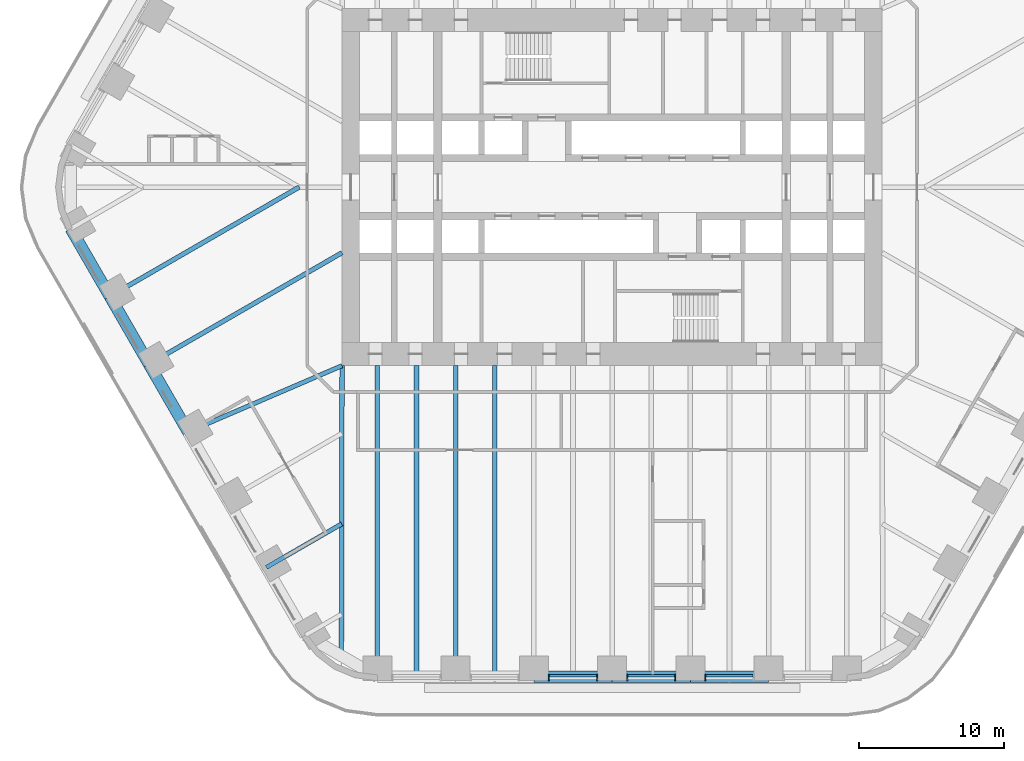
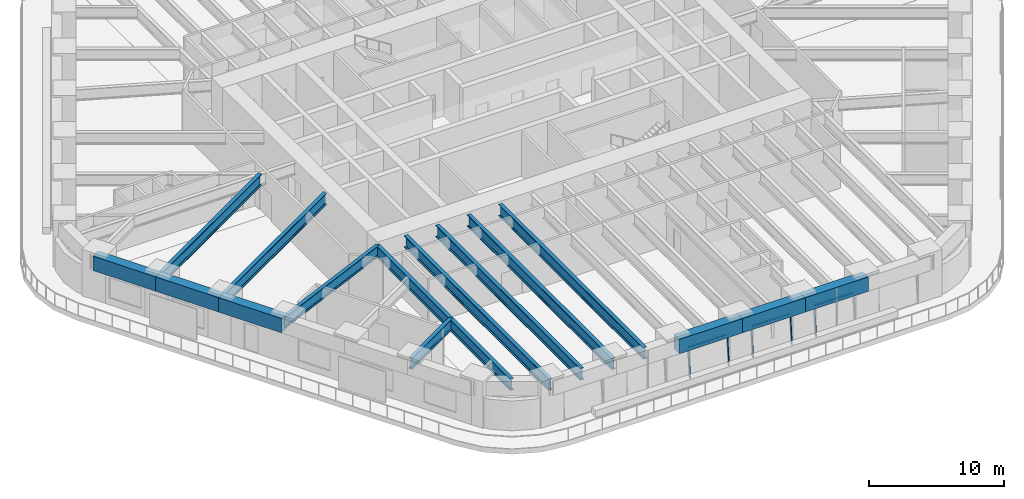
# One storey, part 3 of 23: 15 beams, 8 members, 3 elements without a shape of their own.
"""IFC4 building model written with IfcOpenShell, lengths in metres."""

from ifc_helpers import new_model, si_unit, direction, frame, origin, origin_2d, place, context, subcontext, project, spatial, rectangle, i_section, extrude, material, material_profile, profile_set, type_object, element, aggregate, save


model = new_model("IFC4")

# Units and contexts
model_context = context("Model", 3, precision=1e-05, world=origin(), true_north=direction((0.0, 1.0)))
body_context = subcontext(model_context, "Body", "Model", "MODEL_VIEW")
ifc_project = project(units=[si_unit("LENGTHUNIT", "METRE"), si_unit("AREAUNIT", "SQUARE_METRE"), si_unit("VOLUMEUNIT", "CUBIC_METRE"), si_unit("PLANEANGLEUNIT", "RADIAN"), si_unit("MASSUNIT", "GRAM", prefix="KILO")], contexts=[model_context])

# Site, building, storey
site_placement = place(None, origin())
site = spatial("IfcSite", under=ifc_project, at=site_placement, CompositionType="ELEMENT")
building_placement = place(site_placement, origin())
building = spatial("IfcBuilding", under=site, at=building_placement, Name="Tarfa Lantern Tower", CompositionType="ELEMENT")
storey_placement = place(building_placement, frame((0.0, 0.0, 82.300048828125)))
storey = spatial("IfcBuildingStorey", under=building, at=storey_placement, Name="L18", CompositionType="ELEMENT", Elevation=82.300048828125)

# Curtain wall, members
ifc_material_1 = material(Name="Aluminium framed curtain wall", Category="aluminium")
curtain_wall_type = type_object("IfcCurtainWallType", Name="CW1 CANTED GLAZING LOW ZONE 2700", PredefinedType="USERDEFINED", material=ifc_material_1)
curtain_wall_1_placement = place(storey_placement, origin())
curtain_wall_1 = element("IfcCurtainWall", 1, at=curtain_wall_1_placement, inside=storey, type_object=curtain_wall_type, Name="CW1 S L18", ObjectType="CURTAIN WALL", PredefinedType="USERDEFINED")
ifc_material_2 = material(Name="Aluminium mullion", Category="aluminium")
ifc_material_profile_1 = material_profile(ifc_material_2, rectangle(XDim=0.06494140625, YDim=0.199951171875, at=origin_2d()), Name="AL MULLION 65x200")
ifc_profile_set_1 = profile_set([ifc_material_profile_1], Name="Aluminium mullion")
member_type_1 = type_object("IfcMemberType", Name="CWM1 MULLION 65x200", PredefinedType="MULLION", material=ifc_profile_set_1)
member_1_placement = place(storey_placement, frame((-4.356201171875, -33.89990234375, 0.0), z_axis=(0.0, 0.092199863775, 0.995740520979), x_axis=(-1.0, 0.0, 0.0)))
member_1 = element("IfcMember", 2, at=member_1_placement, type_object=member_type_1, Name="CW1 mullion 1", PredefinedType="MULLION", context=body_context, shape_type="SweptSolid", body=[
    extrude(rectangle(XDim=0.06494140625, YDim=0.199951171875, at=origin_2d()), origin(), (0.0, 0.0, 1.0), 2.71142578125),
])
member_2_placement = place(storey_placement, frame((-1.032470703125, -33.89990234375, 0.0), z_axis=(0.0, 0.092199863775, 0.995740520979), x_axis=(-1.0, 0.0, 0.0)))
member_2 = element("IfcMember", 3, at=member_2_placement, type_object=member_type_1, Name="CW1 mullion 2", PredefinedType="MULLION", context=body_context, shape_type="SweptSolid", body=[
    extrude(rectangle(XDim=0.06494140625, YDim=0.199951171875, at=origin_2d()), origin(), (0.0, 0.0, 1.0), 2.71142578125),
])

curtain_wall_2_placement = place(storey_placement, origin())
curtain_wall_2 = element("IfcCurtainWall", 4, at=curtain_wall_2_placement, inside=storey, type_object=curtain_wall_type, Name="CW1 S L18", ObjectType="CURTAIN WALL", PredefinedType="USERDEFINED")
member_3_placement = place(storey_placement, frame((1.032470703125, -33.89990234375, 0.0), z_axis=(0.0, 0.092199863775, 0.995740520979), x_axis=(-1.0, 0.0, 0.0)))
member_3 = element("IfcMember", 5, at=member_3_placement, type_object=member_type_1, Name="CW1 mullion 1", PredefinedType="MULLION", context=body_context, shape_type="SweptSolid", body=[
    extrude(rectangle(XDim=0.06494140625, YDim=0.199951171875, at=origin_2d()), origin(), (0.0, 0.0, 1.0), 2.71142578125),
])
member_4_placement = place(storey_placement, frame((4.356201171875, -33.89990234375, 0.0), z_axis=(0.0, 0.092199863775, 0.995740520979), x_axis=(-1.0, 0.0, 0.0)))
member_4 = element("IfcMember", 6, at=member_4_placement, type_object=member_type_1, Name="CW1 mullion 2", PredefinedType="MULLION", context=body_context, shape_type="SweptSolid", body=[
    extrude(rectangle(XDim=0.06494140625, YDim=0.199951171875, at=origin_2d()), origin(), (0.0, 0.0, 1.0), 2.71142578125),
])

# Curtain wall, member
curtain_wall_3_placement = place(storey_placement, origin())
curtain_wall_3 = element("IfcCurtainWall", 7, at=curtain_wall_3_placement, inside=storey, type_object=curtain_wall_type, Name="CW1 S L18", ObjectType="CURTAIN WALL", PredefinedType="USERDEFINED")
member_5_placement = place(storey_placement, frame((6.421142578125, -33.89990234375, 0.0), z_axis=(0.0, 0.092199863775, 0.995740520979), x_axis=(-1.0, 0.0, 0.0)))
member_5 = element("IfcMember", 8, at=member_5_placement, type_object=member_type_1, Name="CW1 mullion 1", PredefinedType="MULLION", context=body_context, shape_type="SweptSolid", body=[
    extrude(rectangle(XDim=0.06494140625, YDim=0.199951171875, at=origin_2d()), origin(), (0.0, 0.0, 1.0), 2.71142578125),
])

# Member
ifc_material_3 = material(Name="Aluminium transom", Category="aluminium")
ifc_material_profile_2 = material_profile(ifc_material_3, rectangle(XDim=0.14990234375, YDim=0.06494140625, at=origin_2d()), Name="AL TRANSOM 150x65")
ifc_profile_set_2 = profile_set([ifc_material_profile_2], Name="Aluminium transom")
member_type_2 = type_object("IfcMemberType", Name="CWT1 TRANSOM 150x65", PredefinedType="USERDEFINED", material=ifc_profile_set_2)
member_6_placement = place(storey_placement, frame((-4.323486328125, -33.653076171875, 2.66748046875), z_axis=(1.0, 0.0, 0.0), x_axis=(0.0, 1.0, 0.0)))
member_6 = element("IfcMember", 9, at=member_6_placement, type_object=member_type_2, Name="CW1 transom 1.2", ObjectType="TRANSOM", PredefinedType="USERDEFINED", context=body_context, shape_type="SweptSolid", body=[
    extrude(rectangle(XDim=0.14990234375, YDim=0.06494140625, at=origin_2d()), origin(), (0.0, 0.0, 1.0), 3.258544921875),
])

aggregate(curtain_wall_1, [member_1, member_2, member_6])

member_7_placement = place(storey_placement, frame((1.06494140625, -33.653076171875, 2.66748046875), z_axis=(1.0, 0.0, 0.0), x_axis=(0.0, 1.0, 0.0)))
member_7 = element("IfcMember", 10, at=member_7_placement, type_object=member_type_2, Name="CW1 transom 1.2", ObjectType="TRANSOM", PredefinedType="USERDEFINED", context=body_context, shape_type="SweptSolid", body=[
    extrude(rectangle(XDim=0.14990234375, YDim=0.06494140625, at=origin_2d()), origin(), (0.0, 0.0, 1.0), 3.258544921875),
])

aggregate(curtain_wall_2, [member_3, member_4, member_7])

member_8_placement = place(storey_placement, frame((6.45361328125, -33.653076171875, 2.66748046875), z_axis=(1.0, 0.0, 0.0), x_axis=(0.0, 1.0, 0.0)))
member_8 = element("IfcMember", 11, at=member_8_placement, type_object=member_type_2, Name="CW1 transom 1.2", ObjectType="TRANSOM", PredefinedType="USERDEFINED", context=body_context, shape_type="SweptSolid", body=[
    extrude(rectangle(XDim=0.14990234375, YDim=0.06494140625, at=origin_2d()), origin(), (0.0, 0.0, 1.0), 3.258544921875),
])

aggregate(curtain_wall_3, [member_5, member_8])

# Beams
ifc_material_4 = material(Name="Concrete C80/95", Category="concrete")
ifc_material_profile_3 = material_profile(ifc_material_4, rectangle(XDim=0.800048828125, YDim=1.300048828125, at=origin_2d()), Name="RC 800x1300")
ifc_profile_set_3 = profile_set([ifc_material_profile_3], Name="Concrete C80/95")
beam_type_1 = type_object("IfcBeamType", Name="EB1 RC 800x1300", PredefinedType="SPANDREL", material=ifc_profile_set_3)
beam_1_placement = place(storey_placement, frame((-37.285400390625, -2.860107421875, 3.349853515625), z_axis=(0.500017906299, -0.866015065331, 0.0), x_axis=(0.866015065331, 0.500017906299, 0.0)))
element("IfcBeam", 12, at=beam_1_placement, inside=storey, type_object=beam_type_1, Name="Edge beam SW0", PredefinedType="SPANDREL", context=body_context, shape_type="SweptSolid", body=[
    extrude(rectangle(XDim=0.800048828125, YDim=1.300048828125, at=origin_2d()), origin(), (0.0, 0.0, 1.0), 5.388427734375),
])
for number, where, z_axis, x_axis, name in (
    (13, (-34.591064453125, -7.526611328125, 3.349853515625), (0.499998287579, -0.866026392449, 0.0), (0.866026392449, 0.499998287579, 0.0), "Edge beam SW1"),
    (14, (-31.896728515625, -12.193359375, 3.349853515625), (0.499998287579, -0.866026392449, 0.0), (0.866026392449, 0.499998287579, 0.0), "Edge beam SW2"),
    (15, (-5.388671875, -33.719970703125, 3.349853515625), (1.0, 0.0, 0.0), (0.0, 1.0, 0.0), "Edge beam S2"),
    (16, (0.0, -33.719970703125, 3.349853515625), (1.0, 0.0, 0.0), (0.0, 1.0, 0.0), "Edge beam S3"),
):
    element("IfcBeam", number, at=place(storey_placement, frame(where, z_axis=z_axis, x_axis=x_axis)), inside=storey, type_object=beam_type_1, Name=name, PredefinedType="SPANDREL", context=body_context, shape_type="SweptSolid", body=[
        extrude(rectangle(XDim=0.800048828125, YDim=1.300048828125, at=origin_2d()), origin(), (0.0, 0.0, 1.0), 5.388671875),
    ])
beam_2_placement = place(storey_placement, frame((5.388671875, -33.719970703125, 3.349853515625), z_axis=(1.0, 0.0, 0.0), x_axis=(0.0, 1.0, 0.0)))
element("IfcBeam", 17, at=beam_2_placement, inside=storey, type_object=beam_type_1, Name="Edge beam S4", PredefinedType="SPANDREL", context=body_context, shape_type="SweptSolid", body=[
    extrude(rectangle(XDim=0.800048828125, YDim=1.300048828125, at=origin_2d()), origin(), (0.0, 0.0, 1.0), 5.388427734375),
])
ifc_material_5 = material(Name="Steel S460M", Category="steel")
ifc_material_profile_4 = material_profile(ifc_material_5, i_section(OverallWidth=0.302001953125, OverallDepth=1.008056640625, WebThickness=0.02099609375, FlangeThickness=0.0400390625, FilletRadius=0.030029296875, at=origin_2d()), Name="UB1016x305x349")
ifc_profile_set_4 = profile_set([ifc_material_profile_4], Name="Steel S460M")
beam_type_2 = type_object("IfcBeamType", Name="UB1016x305x349", PredefinedType="BEAM", material=ifc_profile_set_4)
beam_3_placement = place(storey_placement, frame((-29.202392578125, -16.860107421875, 3.495849609375), z_axis=(0.918635483867, 0.395106122175, 0.0), x_axis=(-0.395106122175, 0.918635483867, 0.0)))
element("IfcBeam", 18, at=beam_3_placement, inside=storey, type_object=beam_type_2, Name="Floor beam SW3", PredefinedType="BEAM", context=body_context, shape_type="SweptSolid", body=[
    extrude(i_section(OverallWidth=0.302001953125, OverallDepth=1.008056640625, WebThickness=0.02099609375, FlangeThickness=0.0400390625, FilletRadius=0.030029296875, at=origin_2d()), origin(), (0.0, 0.0, 1.0), 11.541259765625),
])
beam_4_placement = place(storey_placement, frame((-23.813720703125, -26.193359375, 3.495849609375), z_axis=(0.866015997389, 0.500016292001, 0.0), x_axis=(-0.500016292001, 0.866015997389, 0.0)))
element("IfcBeam", 19, at=beam_4_placement, inside=storey, type_object=beam_type_2, Name="Floor beam SW5", PredefinedType="BEAM", context=body_context, shape_type="SweptSolid", body=[
    extrude(i_section(OverallWidth=0.302001953125, OverallDepth=1.008056640625, WebThickness=0.02099609375, FlangeThickness=0.0400390625, FilletRadius=0.030029296875, at=origin_2d()), origin(), (0.0, 0.0, 1.0), 5.993408203125),
])
ifc_material_profile_5 = material_profile(ifc_material_5, i_section(OverallWidth=0.314208984375, OverallDepth=1.055908203125, WebThickness=0.035888671875, FlangeThickness=0.06396484375, FilletRadius=0.030029296875, at=origin_2d()), Name="UB1016x305x584")
ifc_profile_set_5 = profile_set([ifc_material_profile_5], Name="Steel S460M")
beam_type_3 = type_object("IfcBeamType", Name="UB1016x305x584", PredefinedType="BEAM", material=ifc_profile_set_5)
beam_5_placement = place(storey_placement, frame((-18.60009765625, -12.300048828125, 3.471923828125), z_axis=(-0.00212508222, -0.99999774201, 0.0), x_axis=(0.99999774201, -0.00212508222, 0.0)))
element("IfcBeam", 20, at=beam_5_placement, inside=storey, type_object=beam_type_3, Name="Hip girder SW", PredefinedType="BEAM", context=body_context, shape_type="SweptSolid", body=[
    extrude(i_section(OverallWidth=0.314208984375, OverallDepth=1.055908203125, WebThickness=0.035888671875, FlangeThickness=0.06396484375, FilletRadius=0.030029296875, at=origin_2d()), origin(), (0.0, 0.0, 1.0), 19.989990234375),
])
beam_6_placement = place(storey_placement, frame((-34.591064453125, -7.526611328125, 3.471923828125), z_axis=(0.86602785945, 0.499995746638, 0.0), x_axis=(-0.499995746638, 0.86602785945, 0.0)))
element("IfcBeam", 21, at=beam_6_placement, inside=storey, type_object=beam_type_3, Name="Floor beam SW1", PredefinedType="BEAM", context=body_context, shape_type="SweptSolid", body=[
    extrude(i_section(OverallWidth=0.314208984375, OverallDepth=1.055908203125, WebThickness=0.035888671875, FlangeThickness=0.06396484375, FilletRadius=0.030029296875, at=origin_2d()), origin(), (0.0, 0.0, 1.0), 15.053466796875),
])
beam_7_placement = place(storey_placement, frame((-31.896728515625, -12.193359375, 3.471923828125), z_axis=(0.866026971665, 0.499997284341, 0.0), x_axis=(-0.499997284341, 0.866026971665, 0.0)))
element("IfcBeam", 22, at=beam_7_placement, inside=storey, type_object=beam_type_3, Name="Floor beam SW2", PredefinedType="BEAM", context=body_context, shape_type="SweptSolid", body=[
    extrude(i_section(OverallWidth=0.314208984375, OverallDepth=1.055908203125, WebThickness=0.035888671875, FlangeThickness=0.06396484375, FilletRadius=0.030029296875, at=origin_2d()), origin(), (0.0, 0.0, 1.0), 15.353515625),
])
for number, where, z_axis, x_axis, name in (
    (23, (-16.165771484375, -33.719970703125, 3.471923828125), (0.0, 1.0, 0.0), (-1.0, 0.0, 0.0), "Floor beam S0"),
    (24, (-10.777099609375, -33.719970703125, 3.471923828125), (0.0, 1.0, 0.0), (-1.0, 0.0, 0.0), "Floor beam S1"),
    (25, (-13.471435546875, -33.719970703125, 3.471923828125), (0.0, 1.0, 0.0), (-1.0, 0.0, 0.0), "Floor beam S0M"),
    (26, (-8.0830078125, -33.719970703125, 3.471923828125), (0.0, 1.0, 0.0), (-1.0, 0.0, 0.0), "Floor beam S1M"),
):
    element("IfcBeam", number, at=place(storey_placement, frame(where, z_axis=z_axis, x_axis=x_axis)), inside=storey, type_object=beam_type_3, Name=name, PredefinedType="BEAM", context=body_context, shape_type="SweptSolid", body=[
        extrude(i_section(OverallWidth=0.314208984375, OverallDepth=1.055908203125, WebThickness=0.035888671875, FlangeThickness=0.06396484375, FilletRadius=0.030029296875, at=origin_2d()), origin(), (0.0, 0.0, 1.0), 21.419921875),
    ])

save(model, "model.ifc")
